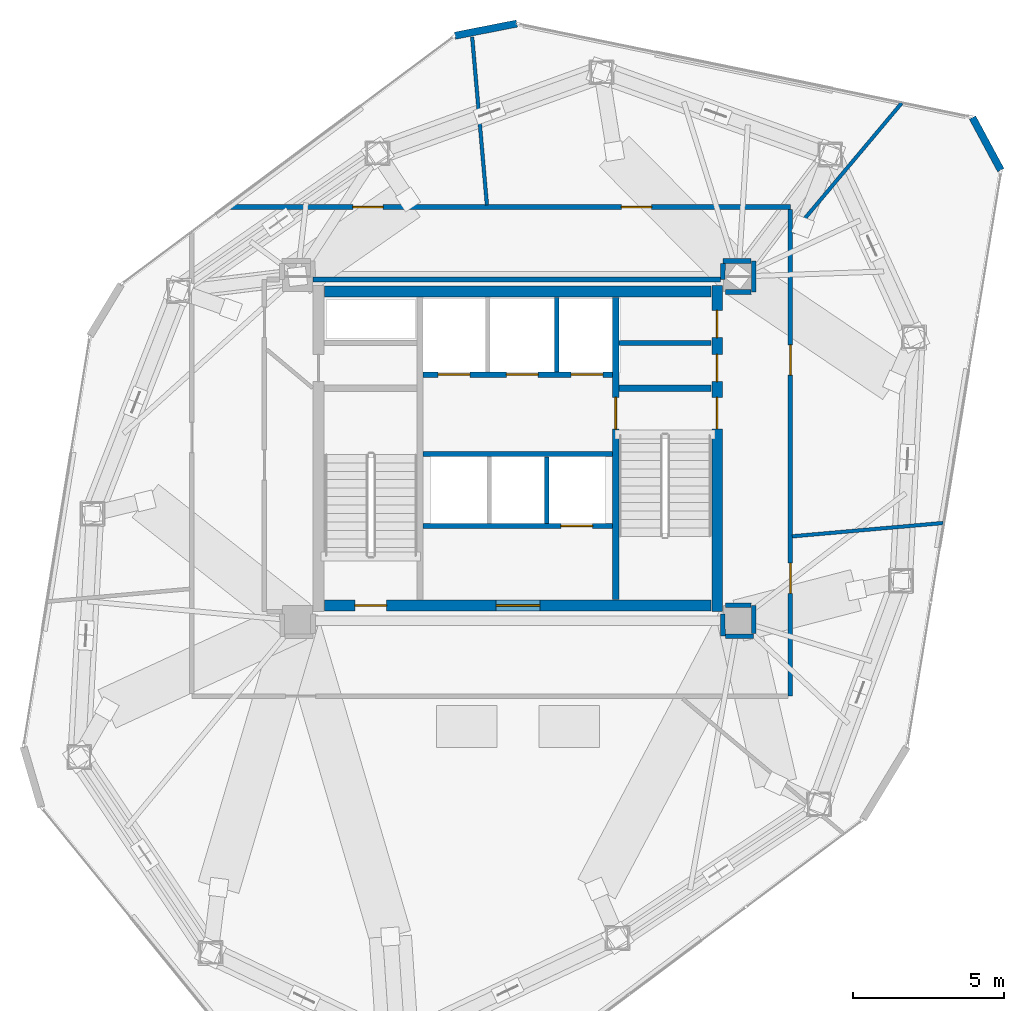
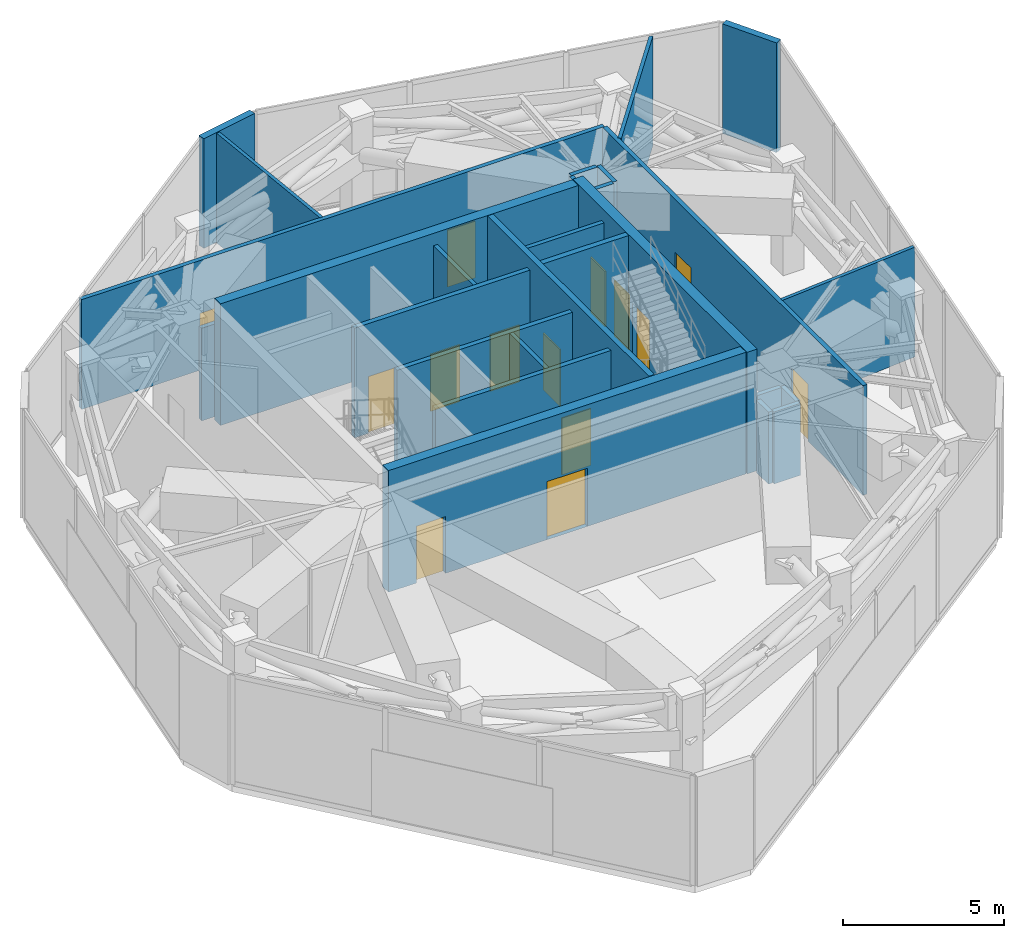
# One storey, part 17 of 19: 27 walls, 14 doors, 14 openings.
"""IFC4 building model written with IfcOpenShell, lengths in metres."""

from ifc_helpers import new_model, si_unit, direction, frame, frame_2d, origin, place, context, subcontext, project, spatial, rectangle, extrude, source, transform, mapped, material, layer, layer_set, type_object, type_shapes, element, fill, save


model = new_model("IFC4")

# Units and contexts
model_context = context("Model", 3, precision=1e-05, world=origin(), true_north=direction((0.0, 1.0)))
body_context = subcontext(model_context, "Body", "Model", "MODEL_VIEW")
ifc_project = project(units=[si_unit("LENGTHUNIT", "METRE"), si_unit("AREAUNIT", "SQUARE_METRE"), si_unit("VOLUMEUNIT", "CUBIC_METRE"), si_unit("PLANEANGLEUNIT", "RADIAN"), si_unit("MASSUNIT", "GRAM", prefix="KILO")], contexts=[model_context])

# Site, building, storey
site_placement = place(None, origin())
site = spatial("IfcSite", under=ifc_project, at=site_placement, CompositionType="ELEMENT")
building_placement = place(site_placement, origin())
building = spatial("IfcBuilding", under=site, at=building_placement, Name="Talar Marvaseh", CompositionType="ELEMENT")
storey_placement = place(building_placement, frame((0.0, 0.0, 236.199951171875)))
storey = spatial("IfcBuildingStorey", under=building, at=storey_placement, Name="L62", CompositionType="ELEMENT", Elevation=236.199951171875)

# Walls
ifc_material_1 = material(Name="Precast concrete C45/55", Category="concrete")
ifc_layer_1 = layer(ifc_material_1, 0.239990234375)
ifc_layer_set_1 = layer_set([ifc_layer_1], Name="Precast concrete C45/55")
wall_type_1 = type_object("IfcWallType", Name="Chamfered Hexagonal Corner Pier Wall Z3 240", PredefinedType="SOLIDWALL", material=ifc_layer_set_1)
wall_1_placement = place(storey_placement, frame((23.914306640625, 44.87451171875, 0.0), z_axis=(0.0, 0.0, 1.0), x_axis=(0.981222754969, 0.192877953979, 0.0)))
element("IfcWall", 1, at=wall_1_placement, inside=storey, type_object=wall_type_1, Name="L62 Chamfered Corner Limestone Pier 4", PredefinedType="SOLIDWALL", context=body_context, shape_type="SweptSolid", body=[
    extrude(rectangle(XDim=2.088623046875, YDim=0.239990234375, at=frame_2d((1.04443359375, 0.0))), origin(), (0.0, 0.0, 1.0), 4.150146484375),
])
wall_2_placement = place(storey_placement, frame((41.053955078125, 42.163818359375, 0.0), z_axis=(0.0, 0.0, 1.0), x_axis=(0.474357429057, -0.880332340368, 0.0)))
element("IfcWall", 2, at=wall_2_placement, inside=storey, type_object=wall_type_1, Name="L62 Chamfered Corner Limestone Pier 5", PredefinedType="SOLIDWALL", context=body_context, shape_type="SweptSolid", body=[
    extrude(rectangle(XDim=1.977783203125, YDim=0.239990234375, at=frame_2d((0.98876953125, 0.0))), origin(), (0.0, 0.0, 1.0), 4.150146484375),
])
ifc_material_2 = material(Name="Gypsum Board Partition Assembly")
ifc_layer_2 = layer(ifc_material_2, 0.155029296875)
ifc_layer_set_2 = layer_set([ifc_layer_2], Name="Gypsum Board Partition Assembly")
wall_type_2 = type_object("IfcWallType", Name="Corridor Fire-Rated Acoustic Partition 155", PredefinedType="PARTITIONING", material=ifc_layer_set_2)
wall_3_placement = place(storey_placement, frame((29.340087890625, 34.699951171875, 0.0), z_axis=(0.0, 0.0, 1.0), x_axis=(1.0, 0.0, 0.0)))
element("IfcWall", 3, at=wall_3_placement, inside=storey, type_object=wall_type_2, Name="L62 Core BOH Partition", PredefinedType="PARTITIONING", context=body_context, shape_type="SweptSolid", body=[
    extrude(rectangle(XDim=3.059814453125, YDim=0.155029296875, at=frame_2d((1.52978515625, 0.0))), origin(), (0.0, 0.0, 1.0), 4.150146484375),
])

# Wall, openings, doors
wall_4_placement = place(storey_placement, frame((16.311767578125, 39.199951171875, 0.0), z_axis=(0.0, 0.0, 1.0), x_axis=(1.0, 0.0, 0.0)))
wall_4 = element("IfcWall", 4, at=wall_4_placement, inside=storey, type_object=wall_type_2, Name="L62 Interior Partition Wall", PredefinedType="PARTITIONING", context=body_context, shape_type="SweptSolid", body=[
    extrude(rectangle(XDim=18.708251953125, YDim=0.155029296875, at=frame_2d((9.35400390625, 0.0))), origin(), (0.0, 0.0, 1.0), 4.150146484375),
])
opening_1_placement = place(wall_4_placement, frame((13.1162109375, 0.0, 0.0)))
opening_1 = element("IfcOpeningElement", 5, at=opening_1_placement, cuts=wall_4, Name="Opening DR-RM100", PredefinedType="OPENING", context=body_context, shape_type="SweptSolid", body=[
    extrude(rectangle(XDim=1.0, YDim=2.14990234375, at=frame_2d((0.5, 1.074951171875))), frame((0.0, 0.08740234375, 0.0), z_axis=(0.0, -1.0, 0.0), x_axis=(1.0, 0.0, 0.0)), (0.0, 0.0, 1.0), 0.175048828125),
])
opening_2_placement = place(wall_4_placement, frame((4.224609375, 0.0, 0.0)))
opening_2 = element("IfcOpeningElement", 6, at=opening_2_placement, cuts=wall_4, Name="Opening DR-RM100", PredefinedType="OPENING", context=body_context, shape_type="SweptSolid", body=[
    extrude(rectangle(XDim=1.0, YDim=2.14990234375, at=frame_2d((0.5, 1.074951171875))), frame((0.0, 0.08740234375, 0.0), z_axis=(0.0, -1.0, 0.0), x_axis=(1.0, 0.0, 0.0)), (0.0, 0.0, 1.0), 0.175048828125),
])
ifc_material_3 = material(Name="Acoustic Engineered Oak Timber", Category="wood")
door_type_1 = type_object("IfcDoorType", Name="Corridor Fire-Rated Gallery Door 1000x2150", OperationType="NOTDEFINED", PredefinedType="DOOR", material=ifc_material_3)
shared_shape_1 = source(origin(), body_context, "Body", "SweptSolid", [
    extrude(rectangle(XDim=1.0, YDim=2.14990234375, at=frame_2d((0.5, 1.074951171875))), frame((0.0, 0.02490234375, 0.0), z_axis=(0.0, -1.0, 0.0), x_axis=(1.0, 0.0, 0.0)), (0.0, 0.0, 1.0), 0.050048828125),
])
type_shapes(door_type_1, [shared_shape_1])
door_1_placement = place(opening_1_placement, origin())
door_1 = element("IfcDoor", 7, at=door_1_placement, inside=storey, type_object=door_type_1, Name="L62 Outrigger Mechanical and AHU Plant Room Door", OperationType="SINGLE_SWING_RIGHT", OverallHeight=2.14990234375, OverallWidth=1.0, PredefinedType="DOOR", context=body_context, shape_type="MappedRepresentation", body=[
    mapped(shared_shape_1, transform((0.0, 0.0, 0.0), x_axis=(1.0, 0.0, 0.0), y_axis=(0.0, 1.0, 0.0), z_axis=(0.0, 0.0, 1.0), scale=1.0)),
])
fill(opening_1, door_1)
door_2_placement = place(opening_2_placement, origin())
door_2 = element("IfcDoor", 8, at=door_2_placement, inside=storey, type_object=door_type_1, Name="L62 AHU Ventilation Plant Room Door", OperationType="SINGLE_SWING_LEFT", OverallHeight=2.14990234375, OverallWidth=1.0, PredefinedType="DOOR", context=body_context, shape_type="MappedRepresentation", body=[
    mapped(shared_shape_1, transform((0.0, 0.0, 0.0), x_axis=(1.0, 0.0, 0.0), y_axis=(0.0, 1.0, 0.0), z_axis=(0.0, 0.0, 1.0), scale=1.0)),
])
fill(opening_2, door_2)

wall_5_placement = place(storey_placement, frame((35.02001953125, 39.116455078125, 0.0), z_axis=(0.0, 0.0, 1.0), x_axis=(0.0, -1.0, 0.0)))
wall_5 = element("IfcWall", 9, at=wall_5_placement, inside=storey, type_object=wall_type_2, Name="L62 Interior Partition Wall", PredefinedType="PARTITIONING", context=body_context, shape_type="SweptSolid", body=[
    extrude(rectangle(XDim=16.116455078125, YDim=0.155029296875, at=frame_2d((8.05810546875, 0.0))), origin(), (0.0, 0.0, 1.0), 4.150146484375),
])
opening_3_placement = place(wall_5_placement, frame((11.70703125, 0.0, 0.0)))
opening_3 = element("IfcOpeningElement", 10, at=opening_3_placement, cuts=wall_5, Name="Opening DR-RM100", PredefinedType="OPENING", context=body_context, shape_type="SweptSolid", body=[
    extrude(rectangle(XDim=1.0, YDim=2.14990234375, at=frame_2d((0.5, 1.074951171875))), frame((0.0, 0.08740234375, 0.0), z_axis=(0.0, -1.0, 0.0), x_axis=(1.0, 0.0, 0.0)), (0.0, 0.0, 1.0), 0.175048828125),
])
opening_4_placement = place(wall_5_placement, frame((4.482666015625, 0.0, 0.0)))
opening_4 = element("IfcOpeningElement", 11, at=opening_4_placement, cuts=wall_5, Name="Opening DR-RM100", PredefinedType="OPENING", context=body_context, shape_type="SweptSolid", body=[
    extrude(rectangle(XDim=1.0, YDim=2.14990234375, at=frame_2d((0.5, 1.074951171875))), frame((0.0, 0.08740234375, 0.0), z_axis=(0.0, -1.0, 0.0), x_axis=(1.0, 0.0, 0.0)), (0.0, 0.0, 1.0), 0.175048828125),
])
door_3_placement = place(opening_3_placement, origin())
door_3 = element("IfcDoor", 12, at=door_3_placement, inside=storey, type_object=door_type_1, Name="L62 Area of Refuge South Door", OperationType="SINGLE_SWING_RIGHT", OverallHeight=2.14990234375, OverallWidth=1.0, PredefinedType="DOOR", context=body_context, shape_type="MappedRepresentation", body=[
    mapped(shared_shape_1, transform((0.0, 0.0, 0.0), x_axis=(1.0, 0.0, 0.0), y_axis=(0.0, 1.0, 0.0), z_axis=(0.0, 0.0, 1.0), scale=1.0)),
])
fill(opening_3, door_3)
door_4_placement = place(opening_4_placement, origin())
door_4 = element("IfcDoor", 13, at=door_4_placement, inside=storey, type_object=door_type_1, Name="L62 Area of Refuge South-East Door", OperationType="SINGLE_SWING_LEFT", OverallHeight=2.14990234375, OverallWidth=1.0, PredefinedType="DOOR", context=body_context, shape_type="MappedRepresentation", body=[
    mapped(shared_shape_1, transform((0.0, 0.0, 0.0), x_axis=(1.0, 0.0, 0.0), y_axis=(0.0, 1.0, 0.0), z_axis=(0.0, 0.0, 1.0), scale=1.0)),
])
fill(opening_4, door_4)

# Walls
wall_6_placement = place(storey_placement, frame((33.810546875, 36.389404296875, 0.0), z_axis=(0.0, 0.0, 1.0), x_axis=(0.0, 1.0, 0.0)))
element("IfcWall", 14, at=wall_6_placement, inside=storey, type_object=wall_type_2, Name="L62 Interior Partition Wall", PredefinedType="PARTITIONING", context=body_context, shape_type="SweptSolid", body=[
    extrude(rectangle(XDim=1.021240234375, YDim=0.155029296875, at=frame_2d((0.5107421875, 0.0))), origin(), (0.0, 0.0, 1.0), 4.150146484375),
])
wall_7_placement = place(storey_placement, frame((33.72705078125, 37.410888671875, 0.0), z_axis=(0.0, 0.0, 1.0), x_axis=(-0.999997233292, 0.002352319681, 0.0)))
element("IfcWall", 15, at=wall_7_placement, inside=storey, type_object=wall_type_2, Name="L62 Interior Partition Wall", PredefinedType="PARTITIONING", context=body_context, shape_type="SweptSolid", body=[
    extrude(rectangle(XDim=0.93408203125, YDim=0.155029296875, at=frame_2d((0.467041015625, 0.0))), origin(), (0.0, 0.0, 1.0), 4.150146484375),
])
wall_8_placement = place(storey_placement, frame((32.791748046875, 37.32958984375, 0.0), z_axis=(0.0, 0.0, 1.0), x_axis=(-0.012908099233, -0.999916687017, 0.0)))
element("IfcWall", 16, at=wall_8_placement, inside=storey, type_object=wall_type_2, Name="L62 Interior Partition Wall", PredefinedType="PARTITIONING", context=body_context, shape_type="SweptSolid", body=[
    extrude(rectangle(XDim=0.529541015625, YDim=0.155029296875, at=frame_2d((0.2646484375, 0.0))), origin(), (0.0, 0.0, 1.0), 4.150146484375),
])
wall_9_placement = place(storey_placement, frame((32.701416015625, 36.800048828125, 0.0), z_axis=(0.0, 0.0, 1.0), x_axis=(-1.0, 0.0, 0.0)))
element("IfcWall", 17, at=wall_9_placement, inside=storey, type_object=wall_type_2, Name="L62 Interior Partition Wall", PredefinedType="PARTITIONING", context=body_context, shape_type="SweptSolid", body=[
    extrude(rectangle(XDim=13.486328125, YDim=0.155029296875, at=frame_2d((6.7431640625, 0.0))), origin(), (0.0, 0.0, 1.0), 3.509033203125),
])
wall_10_placement = place(storey_placement, frame((32.784912109375, 25.72998046875, 0.0), z_axis=(0.0, 0.0, 1.0), x_axis=(0.007570553288, -0.999971342951, 0.0)))
element("IfcWall", 18, at=wall_10_placement, inside=storey, type_object=wall_type_2, Name="L62 Interior Partition Wall", PredefinedType="PARTITIONING", context=body_context, shape_type="SweptSolid", body=[
    extrude(rectangle(XDim=0.74169921875, YDim=0.155029296875, at=frame_2d((0.370849609375, 0.0))), origin(), (0.0, 0.0, 1.0), 2.72509765625),
])
wall_11_placement = place(storey_placement, frame((32.8740234375, 24.98828125, 0.0), z_axis=(0.0, 0.0, 1.0), x_axis=(1.0, 0.0, 0.0)))
element("IfcWall", 19, at=wall_11_placement, inside=storey, type_object=wall_type_2, Name="L62 Interior Partition Wall", PredefinedType="PARTITIONING", context=body_context, shape_type="SweptSolid", body=[
    extrude(rectangle(XDim=0.935546875, YDim=0.155029296875, at=frame_2d((0.4677734375, 0.0))), origin(), (0.0, 0.0, 1.0), 2.72509765625),
])
wall_12_placement = place(storey_placement, frame((33.8095703125, 25.072021484375, 0.0), z_axis=(0.0, 0.0, 1.0), x_axis=(0.001040582163, 0.999999458594, 0.0)))
element("IfcWall", 20, at=wall_12_placement, inside=storey, type_object=wall_type_2, Name="L62 Interior Partition Wall", PredefinedType="PARTITIONING", context=body_context, shape_type="SweptSolid", body=[
    extrude(rectangle(XDim=0.9384765625, YDim=0.155029296875, at=frame_2d((0.46923828125, 0.0))), origin(), (0.0, 0.0, 1.0), 2.72509765625),
])
wall_13_placement = place(storey_placement, frame((33.72705078125, 26.010986328125, 0.0), z_axis=(0.0, 0.0, 1.0), x_axis=(-0.999990868706, 0.004273465251, 0.0)))
element("IfcWall", 21, at=wall_13_placement, inside=storey, type_object=wall_type_2, Name="L62 Interior Partition Wall", PredefinedType="PARTITIONING", context=body_context, shape_type="SweptSolid", body=[
    extrude(rectangle(XDim=0.85693359375, YDim=0.155029296875, at=frame_2d((0.428466796875, 0.0))), origin(), (0.0, 0.0, 1.0), 2.72509765625),
])
wall_14_placement = place(storey_placement, frame((32.8701171875, 36.38525390625, 0.0), z_axis=(0.0, 0.0, 1.0), x_axis=(0.999990868706, 0.004273465251, 0.0)))
element("IfcWall", 22, at=wall_14_placement, inside=storey, type_object=wall_type_2, Name="L62 Interior Partition Wall", PredefinedType="PARTITIONING", context=body_context, shape_type="SweptSolid", body=[
    extrude(rectangle(XDim=0.85693359375, YDim=0.155029296875, at=frame_2d((0.428466796875, 0.0))), origin(), (0.0, 0.0, 1.0), 4.150146484375),
])
ifc_layer_3 = layer(ifc_material_2, 0.1201171875)
ifc_layer_set_3 = layer_set([ifc_layer_3], Name="Gypsum Board Partition Assembly")
wall_type_3 = type_object("IfcWallType", Name="Demountable Studio Room Partition 120", PredefinedType="PARTITIONING", material=ifc_layer_set_3)
wall_15_placement = place(storey_placement, frame((35.084716796875, 28.295654296875, 0.0), z_axis=(0.0, 0.0, 1.0), x_axis=(0.996123949787, 0.087960654047, 0.0)))
element("IfcWall", 23, at=wall_15_placement, inside=storey, type_object=wall_type_3, Name="L62 Interior Partition Wall", PredefinedType="PARTITIONING", context=body_context, shape_type="SweptSolid", body=[
    extrude(rectangle(XDim=5.010009765625, YDim=0.1201171875, at=frame_2d((2.5048828125, 0.0))), origin(), (0.0, 0.0, 1.0), 4.150146484375),
])
wall_16_placement = place(storey_placement, frame((35.103515625, 38.349609375, 0.0), z_axis=(0.0, 0.0, 1.0), x_axis=(0.643027688239, 0.765842929169, 0.0)))
element("IfcWall", 24, at=wall_16_placement, inside=storey, type_object=wall_type_3, Name="L62 Interior Partition Wall", PredefinedType="PARTITIONING", context=body_context, shape_type="SweptSolid", body=[
    extrude(rectangle(XDim=5.607666015625, YDim=0.1201171875, at=frame_2d((2.8037109375, 0.0))), origin(), (0.0, 0.0, 1.0), 4.150146484375),
])
wall_17_placement = place(storey_placement, frame((24.974365234375, 39.264892578125, 0.0), z_axis=(0.0, 0.0, 1.0), x_axis=(-0.087504740228, 0.996164103167, 0.0)))
element("IfcWall", 25, at=wall_17_placement, inside=storey, type_object=wall_type_3, Name="L62 Interior Partition Wall", PredefinedType="PARTITIONING", context=body_context, shape_type="SweptSolid", body=[
    extrude(rectangle(XDim=5.585693359375, YDim=0.1201171875, at=frame_2d((2.79296875, 0.0))), origin(), (0.0, 0.0, 1.0), 4.150146484375),
])
ifc_layer_4 = layer(ifc_material_1, 0.14501953125)
ifc_layer_set_4 = layer_set([ifc_layer_4], Name="Precast concrete C45/55")
wall_type_4 = type_object("IfcWallType", Name="Fire-Rated Lift Divider Wall 145", PredefinedType="SOLIDWALL", material=ifc_layer_set_4)
wall_18_placement = place(storey_placement, frame((27.280029296875, 33.743408203125, 0.0), z_axis=(0.0, 0.0, 1.0), x_axis=(0.0, 1.0, 0.0)))
element("IfcWall", 26, at=wall_18_placement, inside=storey, type_object=wall_type_4, Name="L62 FFL-2/SVL-1 Divider", PredefinedType="SOLIDWALL", context=body_context, shape_type="SweptSolid", body=[
    extrude(rectangle(XDim=2.45654296875, YDim=0.14501953125, at=frame_2d((1.228271484375, 0.0))), origin(), (0.0, 0.0, 1.0), 4.150146484375),
])
wall_19_placement = place(storey_placement, frame((26.949951171875, 28.719970703125, 0.0), z_axis=(0.0, 0.0, 1.0), x_axis=(0.0, 1.0, 0.0)))
element("IfcWall", 27, at=wall_19_placement, inside=storey, type_object=wall_type_4, Name="L62 PL-H2/PL-H3 Divider", PredefinedType="SOLIDWALL", context=body_context, shape_type="SweptSolid", body=[
    extrude(rectangle(XDim=2.20654296875, YDim=0.14501953125, at=frame_2d((1.103271484375, 0.0))), origin(), (0.0, 0.0, 1.0), 4.150146484375),
])

# Wall, openings, doors
ifc_layer_5 = layer(ifc_material_1, 0.175048828125)
ifc_layer_set_5 = layer_set([ifc_layer_5], Name="Precast concrete C45/55")
wall_type_5 = type_object("IfcWallType", Name="Fire-Rated Lift Hoistway Enclosure Wall 175", PredefinedType="SOLIDWALL", material=ifc_layer_set_5)
wall_20_placement = place(storey_placement, frame((22.860107421875, 33.64990234375, 0.0), z_axis=(0.0, 0.0, 1.0), x_axis=(1.0, 0.0, 0.0)))
wall_20 = element("IfcWall", 28, at=wall_20_placement, inside=storey, type_object=wall_type_5, Name="L62 Firefighting and Service Lift Front Wall", PredefinedType="SOLIDWALL", context=body_context, shape_type="SweptSolid", body=[
    extrude(rectangle(XDim=6.27978515625, YDim=0.175048828125, at=frame_2d((3.139892578125, 0.0))), origin(), (0.0, 0.0, 1.0), 4.150146484375),
])
opening_5_placement = place(wall_20_placement, frame((0.5, 0.0, 0.0)))
opening_5 = element("IfcOpeningElement", 29, at=opening_5_placement, cuts=wall_20, Name="Opening LD-FF1", PredefinedType="OPENING", context=body_context, shape_type="SweptSolid", body=[
    extrude(rectangle(XDim=1.050048828125, YDim=2.14990234375, at=frame_2d((0.52490234375, 1.074951171875))), frame((0.0, 0.09765625, 0.0), z_axis=(0.0, -1.0, 0.0), x_axis=(1.0, 0.0, 0.0)), (0.0, 0.0, 1.0), 0.195068359375),
])
opening_6_placement = place(wall_20_placement, frame((2.760009765625, 0.0, 0.0)))
opening_6 = element("IfcOpeningElement", 30, at=opening_6_placement, cuts=wall_20, Name="Opening LD-FF2", PredefinedType="OPENING", context=body_context, shape_type="SweptSolid", body=[
    extrude(rectangle(XDim=1.050048828125, YDim=2.14990234375, at=frame_2d((0.52490234375, 1.074951171875))), frame((0.0, 0.09765625, 0.0), z_axis=(0.0, -1.0, 0.0), x_axis=(1.0, 0.0, 0.0)), (0.0, 0.0, 1.0), 0.195068359375),
])
opening_7_placement = place(wall_20_placement, frame((4.89990234375, 0.0, 0.0)))
opening_7 = element("IfcOpeningElement", 31, at=opening_7_placement, cuts=wall_20, Name="Opening LD-SV1", PredefinedType="OPENING", context=body_context, shape_type="SweptSolid", body=[
    extrude(rectangle(XDim=1.050048828125, YDim=2.14990234375, at=frame_2d((0.52490234375, 1.074951171875))), frame((0.0, 0.09765625, 0.0), z_axis=(0.0, -1.0, 0.0), x_axis=(1.0, 0.0, 0.0)), (0.0, 0.0, 1.0), 0.195068359375),
])
ifc_material_4 = material(Name="Stainless Steel Grade 316", Category="steel")
door_type_2 = type_object("IfcDoorType", Name="Automatic Sliding Lift Landing Door 1050x2150", OperationType="NOTDEFINED", PredefinedType="DOOR", material=ifc_material_4)
shared_shape_2 = source(origin(), body_context, "Body", "SweptSolid", [
    extrude(rectangle(XDim=1.050048828125, YDim=2.14990234375, at=frame_2d((0.52490234375, 1.074951171875))), frame((0.0, 0.02490234375, 0.0), z_axis=(0.0, -1.0, 0.0), x_axis=(1.0, 0.0, 0.0)), (0.0, 0.0, 1.0), 0.050048828125),
])
type_shapes(door_type_2, [shared_shape_2])
door_5_placement = place(opening_5_placement, origin())
door_5 = element("IfcDoor", 32, at=door_5_placement, inside=storey, type_object=door_type_2, Name="L62 Lift FFL-1 Sliding Landing Door", OperationType="SLIDING_TO_LEFT", OverallHeight=2.14990234375, OverallWidth=1.050048828125, PredefinedType="DOOR", context=body_context, shape_type="MappedRepresentation", body=[
    mapped(shared_shape_2, transform((0.0, 0.0, 0.0), x_axis=(1.0, 0.0, 0.0), y_axis=(0.0, 1.0, 0.0), z_axis=(0.0, 0.0, 1.0), scale=1.0)),
])
fill(opening_5, door_5)
door_6_placement = place(opening_6_placement, origin())
door_6 = element("IfcDoor", 33, at=door_6_placement, inside=storey, type_object=door_type_2, Name="L62 Lift FFL-2 Sliding Landing Door", OperationType="SLIDING_TO_LEFT", OverallHeight=2.14990234375, OverallWidth=1.050048828125, PredefinedType="DOOR", context=body_context, shape_type="MappedRepresentation", body=[
    mapped(shared_shape_2, transform((0.0, 0.0, 0.0), x_axis=(1.0, 0.0, 0.0), y_axis=(0.0, 1.0, 0.0), z_axis=(0.0, 0.0, 1.0), scale=1.0)),
])
fill(opening_6, door_6)
door_7_placement = place(opening_7_placement, origin())
door_7 = element("IfcDoor", 34, at=door_7_placement, inside=storey, type_object=door_type_2, Name="L62 Lift SVL-1 Sliding Landing Door", OperationType="SLIDING_TO_LEFT", OverallHeight=2.14990234375, OverallWidth=1.050048828125, PredefinedType="DOOR", context=body_context, shape_type="MappedRepresentation", body=[
    mapped(shared_shape_2, transform((0.0, 0.0, 0.0), x_axis=(1.0, 0.0, 0.0), y_axis=(0.0, 1.0, 0.0), z_axis=(0.0, 0.0, 1.0), scale=1.0)),
])
fill(opening_7, door_7)

# Wall
wall_21_placement = place(storey_placement, frame((22.860107421875, 31.02001953125, 0.0), z_axis=(0.0, 0.0, 1.0), x_axis=(1.0, 0.0, 0.0)))
element("IfcWall", 35, at=wall_21_placement, inside=storey, type_object=wall_type_5, Name="L62 Firefighting Lobby South Smoke Wall", PredefinedType="SOLIDWALL", context=body_context, shape_type="SweptSolid", body=[
    extrude(rectangle(XDim=6.27978515625, YDim=0.175048828125, at=frame_2d((3.139892578125, 0.0))), origin(), (0.0, 0.0, 1.0), 4.150146484375),
])

# Wall, opening, door
wall_22_placement = place(storey_placement, frame((22.860107421875, 28.639892578125, 0.0), z_axis=(0.0, 0.0, 1.0), x_axis=(1.0, 0.0, 0.0)))
wall_22 = element("IfcWall", 36, at=wall_22_placement, inside=storey, type_object=wall_type_5, Name="L62 High-Rise Lift Bank Front Wall", PredefinedType="SOLIDWALL", context=body_context, shape_type="SweptSolid", body=[
    extrude(rectangle(XDim=6.27978515625, YDim=0.175048828125, at=frame_2d((3.139892578125, 0.0))), origin(), (0.0, 0.0, 1.0), 4.150146484375),
])
opening_8_placement = place(wall_22_placement, frame((4.56005859375, 0.0, 0.0)))
opening_8 = element("IfcOpeningElement", 37, at=opening_8_placement, cuts=wall_22, Name="Opening LD-PLH3", PredefinedType="OPENING", context=body_context, shape_type="SweptSolid", body=[
    extrude(rectangle(XDim=1.050048828125, YDim=2.14990234375, at=frame_2d((0.52490234375, 1.074951171875))), frame((0.0, 0.09765625, 0.0), z_axis=(0.0, -1.0, 0.0), x_axis=(1.0, 0.0, 0.0)), (0.0, 0.0, 1.0), 0.195068359375),
])
door_8_placement = place(opening_8_placement, origin())
door_8 = element("IfcDoor", 38, at=door_8_placement, inside=storey, type_object=door_type_2, Name="L62 Lift PL-H3 Sliding Landing Door", OperationType="SLIDING_TO_LEFT", OverallHeight=2.14990234375, OverallWidth=1.050048828125, PredefinedType="DOOR", context=body_context, shape_type="MappedRepresentation", body=[
    mapped(shared_shape_2, transform((0.0, 0.0, 0.0), x_axis=(1.0, 0.0, 0.0), y_axis=(0.0, 1.0, 0.0), z_axis=(0.0, 0.0, 1.0), scale=1.0)),
])
fill(opening_8, door_8)

ifc_material_5 = material(Name="Concrete C50/60", Category="concrete")
ifc_layer_6 = layer(ifc_material_5, 0.199951171875)
ifc_layer_set_6 = layer_set([ifc_layer_6], Name="Concrete C50/60")
wall_type_6 = type_object("IfcWallType", Name="Stair Shaft Structural Concrete Shear Wall 200", PredefinedType="SHEAR", material=ifc_layer_set_6)
wall_23_placement = place(storey_placement, frame((29.239990234375, 26.199951171875, 0.0), z_axis=(0.0, 0.0, 1.0), x_axis=(0.0, 1.0, 0.0)))
wall_23 = element("IfcWall", 39, at=wall_23_placement, inside=storey, type_object=wall_type_6, Name="L62 Core East Stair Shear Wall", PredefinedType="SHEAR", context=body_context, shape_type="SweptSolid", body=[
    extrude(rectangle(XDim=10.0, YDim=0.199951171875, at=frame_2d((5.0, 0.0))), origin(), (0.0, 0.0, 1.0), 4.60009765625),
])
opening_9_placement = place(wall_23_placement, frame((5.64990234375, 0.0, 0.0)))
opening_9 = element("IfcOpeningElement", 40, at=opening_9_placement, cuts=wall_23, Name="Opening DR-ST105", PredefinedType="OPENING", context=body_context, shape_type="SweptSolid", body=[
    extrude(rectangle(XDim=1.050048828125, YDim=2.14990234375, at=frame_2d((0.52490234375, 1.074951171875))), frame((0.0, 0.10986328125, 0.0), z_axis=(0.0, -1.0, 0.0), x_axis=(1.0, 0.0, 0.0)), (0.0, 0.0, 1.0), 0.219970703125),
])
ifc_material_6 = material(Name="Fire-Rated Steel Door Leaf", Category="steel")
door_type_3 = type_object("IfcDoorType", Name="Protected Exit Stair Fire Door 1050x2150", OperationType="NOTDEFINED", PredefinedType="DOOR", material=ifc_material_6)
shared_shape_3 = source(origin(), body_context, "Body", "SweptSolid", [
    extrude(rectangle(XDim=1.050048828125, YDim=2.14990234375, at=frame_2d((0.52490234375, 1.074951171875))), frame((0.0, 0.02490234375, 0.0), z_axis=(0.0, -1.0, 0.0), x_axis=(1.0, 0.0, 0.0)), (0.0, 0.0, 1.0), 0.050048828125),
])
type_shapes(door_type_3, [shared_shape_3])
door_9_placement = place(opening_9_placement, origin())
door_9 = element("IfcDoor", 41, at=door_9_placement, inside=storey, type_object=door_type_3, Name="L62 Firefighting Lobby to Stair ST-2 Door", OperationType="SINGLE_SWING_LEFT", OverallHeight=2.14990234375, OverallWidth=1.050048828125, PredefinedType="DOOR", context=body_context, shape_type="MappedRepresentation", body=[
    mapped(shared_shape_3, transform((0.0, 0.0, 0.0), x_axis=(1.0, 0.0, 0.0), y_axis=(0.0, 1.0, 0.0), z_axis=(0.0, 0.0, 1.0), scale=1.0)),
])
fill(opening_9, door_9)

# Wall
wall_24_placement = place(storey_placement, frame((29.340087890625, 33.199951171875, 0.0), z_axis=(0.0, 0.0, 1.0), x_axis=(1.0, 0.0, 0.0)))
element("IfcWall", 42, at=wall_24_placement, inside=storey, type_object=wall_type_6, Name="L62 Stair ST-2 North Shear Wall", PredefinedType="SHEAR", context=body_context, shape_type="SweptSolid", body=[
    extrude(rectangle(XDim=3.059814453125, YDim=0.199951171875, at=frame_2d((1.52978515625, 0.0))), origin(), (0.0, 0.0, 1.0), 4.60009765625),
])

# Wall, openings, doors
ifc_layer_7 = layer(ifc_material_5, 0.360107421875)
ifc_layer_set_7 = layer_set([ifc_layer_7], Name="Concrete C50/60")
wall_type_7 = type_object("IfcWallType", Name="Upper Core Reinforced Concrete Shear Wall 360", PredefinedType="SHEAR", material=ifc_layer_set_7)
wall_25_placement = place(storey_placement, frame((32.60009765625, 36.60009765625, 0.0), z_axis=(0.0, 0.0, 1.0), x_axis=(0.0, -1.0, 0.0)))
wall_25 = element("IfcWall", 43, at=wall_25_placement, inside=storey, type_object=wall_type_7, Name="L62 East Core Shear Wall", PredefinedType="SHEAR", context=body_context, shape_type="SweptSolid", body=[
    extrude(rectangle(XDim=10.800048828125, YDim=0.360107421875, at=frame_2d((5.39990234375, 0.0))), origin(), (0.0, 0.0, 1.0), 4.60009765625),
])
opening_10_placement = place(wall_25_placement, frame((3.699951171875, 0.0, 0.0)))
opening_10 = element("IfcOpeningElement", 44, at=opening_10_placement, cuts=wall_25, Name="Opening DR-ST105", PredefinedType="OPENING", context=body_context, shape_type="SweptSolid", body=[
    extrude(rectangle(XDim=1.050048828125, YDim=2.14990234375, at=frame_2d((0.52490234375, 1.074951171875))), frame((0.0, 0.18994140625, 0.0), z_axis=(0.0, -1.0, 0.0), x_axis=(1.0, 0.0, 0.0)), (0.0, 0.0, 1.0), 0.380126953125),
])
opening_11_placement = place(wall_25_placement, frame((2.280029296875, 0.0, 0.0)))
opening_11 = element("IfcOpeningElement", 45, at=opening_11_placement, cuts=wall_25, Name="Opening DR-BOH090", PredefinedType="OPENING", context=body_context, shape_type="SweptSolid", body=[
    extrude(rectangle(XDim=0.89990234375, YDim=2.10009765625, at=frame_2d((0.449951171875, 1.050048828125))), frame((0.0, 0.18994140625, 0.0), z_axis=(0.0, -1.0, 0.0), x_axis=(1.0, 0.0, 0.0)), (0.0, 0.0, 1.0), 0.380126953125),
])
opening_12_placement = place(wall_25_placement, frame((0.820068359375, 0.0, 0.0)))
opening_12 = element("IfcOpeningElement", 46, at=opening_12_placement, cuts=wall_25, Name="Opening DR-BOH090", PredefinedType="OPENING", context=body_context, shape_type="SweptSolid", body=[
    extrude(rectangle(XDim=0.89990234375, YDim=2.10009765625, at=frame_2d((0.449951171875, 1.050048828125))), frame((0.0, 0.18994140625, 0.0), z_axis=(0.0, -1.0, 0.0), x_axis=(1.0, 0.0, 0.0)), (0.0, 0.0, 1.0), 0.380126953125),
])
door_10_placement = place(opening_10_placement, origin())
door_10 = element("IfcDoor", 47, at=door_10_placement, inside=storey, type_object=door_type_3, Name="L62 Stair ST-2 Corridor Exit Door", OperationType="SINGLE_SWING_LEFT", OverallHeight=2.14990234375, OverallWidth=1.050048828125, PredefinedType="DOOR", context=body_context, shape_type="MappedRepresentation", body=[
    mapped(shared_shape_3, transform((0.0, 0.0, 0.0), x_axis=(1.0, 0.0, 0.0), y_axis=(0.0, 1.0, 0.0), z_axis=(0.0, 0.0, 1.0), scale=1.0)),
])
fill(opening_10, door_10)
door_type_4 = type_object("IfcDoorType", Name="Core Back-of-House Service Door 900x2100", OperationType="NOTDEFINED", PredefinedType="DOOR", material=ifc_material_6)
shared_shape_4 = source(origin(), body_context, "Body", "SweptSolid", [
    extrude(rectangle(XDim=0.89990234375, YDim=2.10009765625, at=frame_2d((0.449951171875, 1.050048828125))), frame((0.0, 0.02490234375, 0.0), z_axis=(0.0, -1.0, 0.0), x_axis=(1.0, 0.0, 0.0)), (0.0, 0.0, 1.0), 0.050048828125),
])
type_shapes(door_type_4, [shared_shape_4])
door_11_placement = place(opening_11_placement, origin())
door_11 = element("IfcDoor", 48, at=door_11_placement, inside=storey, type_object=door_type_4, Name="L62 Cleaner Core East Closet Door", OperationType="SINGLE_SWING_LEFT", OverallHeight=2.10009765625, OverallWidth=0.89990234375, PredefinedType="DOOR", context=body_context, shape_type="MappedRepresentation", body=[
    mapped(shared_shape_4, transform((0.0, 0.0, 0.0), x_axis=(1.0, 0.0, 0.0), y_axis=(0.0, 1.0, 0.0), z_axis=(0.0, 0.0, 1.0), scale=1.0)),
])
fill(opening_11, door_11)
door_12_placement = place(opening_12_placement, origin())
door_12 = element("IfcDoor", 49, at=door_12_placement, inside=storey, type_object=door_type_4, Name="L62 Store Core Supplies Room Door", OperationType="SINGLE_SWING_RIGHT", OverallHeight=2.10009765625, OverallWidth=0.89990234375, PredefinedType="DOOR", context=body_context, shape_type="MappedRepresentation", body=[
    mapped(shared_shape_4, transform((0.0, 0.0, 0.0), x_axis=(1.0, 0.0, 0.0), y_axis=(0.0, 1.0, 0.0), z_axis=(0.0, 0.0, 1.0), scale=1.0)),
])
fill(opening_12, door_12)

# Wall
wall_26_placement = place(storey_placement, frame((19.60009765625, 36.39990234375, 0.0), z_axis=(0.0, 0.0, 1.0), x_axis=(1.0, 0.0, 0.0)))
element("IfcWall", 50, at=wall_26_placement, inside=storey, type_object=wall_type_7, Name="L62 North Core Shear Wall", PredefinedType="SHEAR", context=body_context, shape_type="SweptSolid", body=[
    extrude(rectangle(XDim=12.7998046875, YDim=0.360107421875, at=frame_2d((6.39990234375, 0.0))), origin(), (0.0, 0.0, 1.0), 4.60009765625),
])

# Wall, openings, doors
wall_27_placement = place(storey_placement, frame((32.39990234375, 26.0, 0.0), z_axis=(0.0, 0.0, 1.0), x_axis=(-1.0, 0.0, 0.0)))
wall_27 = element("IfcWall", 51, at=wall_27_placement, inside=storey, type_object=wall_type_7, Name="L62 South Core Shear Wall", PredefinedType="SHEAR", context=body_context, shape_type="SweptSolid", body=[
    extrude(rectangle(XDim=12.7998046875, YDim=0.360107421875, at=frame_2d((6.39990234375, 0.0))), origin(), (0.0, 0.0, 1.0), 4.60009765625),
])
opening_13_placement = place(wall_27_placement, frame((10.75, 0.0, 0.0)))
opening_13 = element("IfcOpeningElement", 52, at=opening_13_placement, cuts=wall_27, Name="Opening DR-ST105", PredefinedType="OPENING", context=body_context, shape_type="SweptSolid", body=[
    extrude(rectangle(XDim=1.050048828125, YDim=2.14990234375, at=frame_2d((0.52490234375, 1.074951171875))), frame((0.0, 0.18994140625, 0.0), z_axis=(0.0, -1.0, 0.0), x_axis=(1.0, 0.0, 0.0)), (0.0, 0.0, 1.0), 0.380126953125),
])
opening_14_placement = place(wall_27_placement, frame((5.669921875, 0.0, 0.0)))
opening_14 = element("IfcOpeningElement", 53, at=opening_14_placement, cuts=wall_27, Name="Opening DR-LBY145", PredefinedType="OPENING", context=body_context, shape_type="SweptSolid", body=[
    extrude(rectangle(XDim=1.449951171875, YDim=2.199951171875, at=frame_2d((0.72509765625, 1.10009765625))), frame((0.0, 0.18994140625, 0.0), z_axis=(0.0, -1.0, 0.0), x_axis=(1.0, 0.0, 0.0)), (0.0, 0.0, 1.0), 0.380126953125),
])
door_13_placement = place(opening_13_placement, origin())
door_13 = element("IfcDoor", 54, at=door_13_placement, inside=storey, type_object=door_type_3, Name="L62 Stair ST-1 Exit Door", OperationType="SINGLE_SWING_RIGHT", OverallHeight=2.14990234375, OverallWidth=1.050048828125, PredefinedType="DOOR", context=body_context, shape_type="MappedRepresentation", body=[
    mapped(shared_shape_3, transform((0.0, 0.0, 0.0), x_axis=(1.0, 0.0, 0.0), y_axis=(0.0, 1.0, 0.0), z_axis=(0.0, 0.0, 1.0), scale=1.0)),
])
fill(opening_13, door_13)
door_type_5 = type_object("IfcDoorType", Name="Core Lift Lobby Double Smoke Door 1450x2200", OperationType="NOTDEFINED", PredefinedType="DOOR", material=ifc_material_6)
shared_shape_5 = source(origin(), body_context, "Body", "SweptSolid", [
    extrude(rectangle(XDim=1.449951171875, YDim=2.199951171875, at=frame_2d((0.72509765625, 1.10009765625))), frame((0.0, 0.02490234375, 0.0), z_axis=(0.0, -1.0, 0.0), x_axis=(1.0, 0.0, 0.0)), (0.0, 0.0, 1.0), 0.050048828125),
])
type_shapes(door_type_5, [shared_shape_5])
door_14_placement = place(opening_14_placement, origin())
door_14 = element("IfcDoor", 55, at=door_14_placement, inside=storey, type_object=door_type_5, Name="L62 Passenger Lift Lobby Entrance Door", OperationType="DOUBLE_DOOR_SINGLE_SWING", OverallHeight=2.199951171875, OverallWidth=1.449951171875, PredefinedType="DOOR", context=body_context, shape_type="MappedRepresentation", body=[
    mapped(shared_shape_5, transform((0.0, 0.0, 0.0), x_axis=(1.0, 0.0, 0.0), y_axis=(0.0, 1.0, 0.0), z_axis=(0.0, 0.0, 1.0), scale=1.0)),
])
fill(opening_14, door_14)

save(model, "model.ifc")
